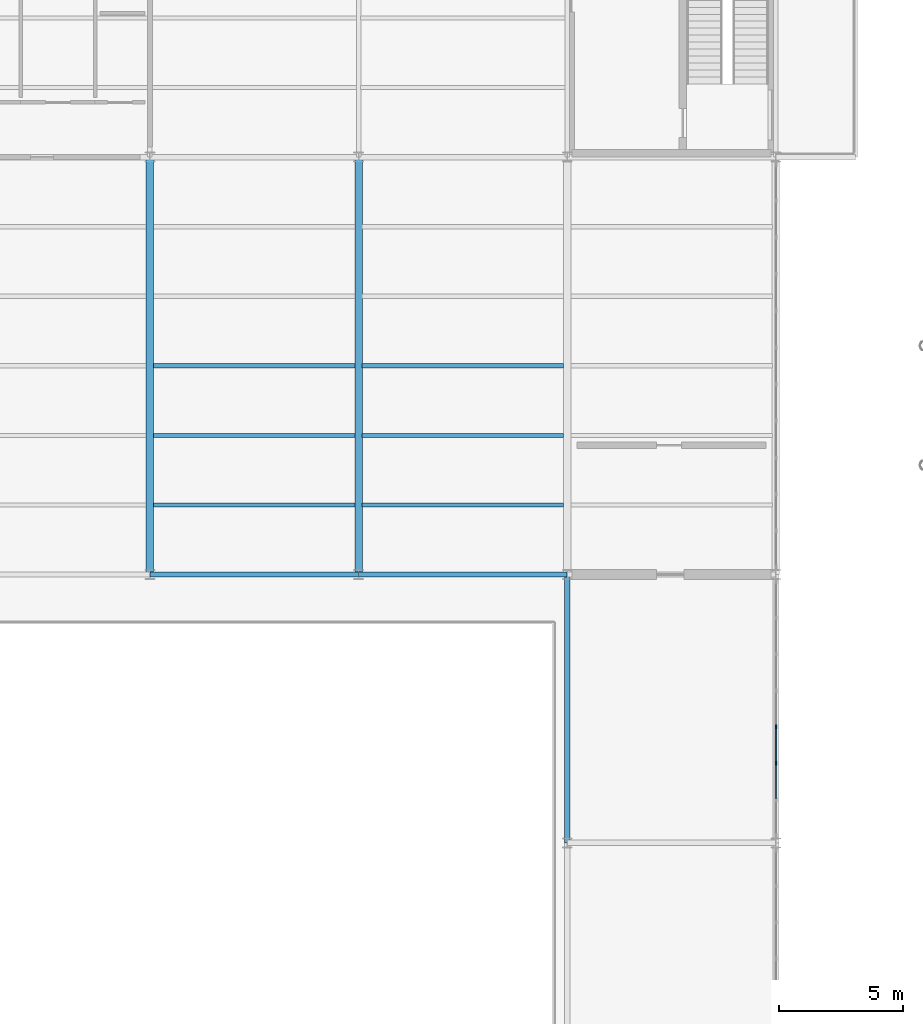
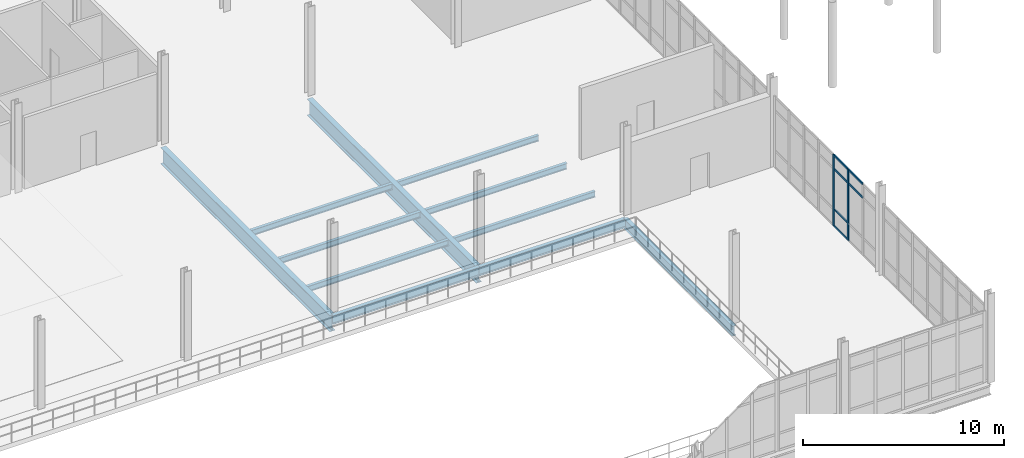
# One storey, part 39 of 111: 11 beams, 8 members, 1 element without a shape of its own.
"""IFC4 building model written with IfcOpenShell, lengths in metres."""

from ifc_helpers import new_model, si_unit, direction, frame, origin, origin_2d, place, context, subcontext, project, spatial, rectangle, i_section, extrude, material, layer, layer_set, material_profile, profile_set, type_object, element, aggregate, save


model = new_model("IFC4")

# Units and contexts
model_context = context("Model", 3, precision=1e-05, world=origin(), true_north=direction((0.0, 1.0)))
body_context = subcontext(model_context, "Body", "Model", "MODEL_VIEW")
ifc_project = project(units=[si_unit("LENGTHUNIT", "METRE"), si_unit("AREAUNIT", "SQUARE_METRE"), si_unit("VOLUMEUNIT", "CUBIC_METRE"), si_unit("PLANEANGLEUNIT", "RADIAN"), si_unit("MASSUNIT", "GRAM", prefix="KILO"), si_unit("THERMODYNAMICTEMPERATUREUNIT", "KELVIN"), si_unit("POWERUNIT", "WATT")], contexts=[model_context])

# Site, building, storey
site_placement = place(None, origin())
site = spatial("IfcSite", under=ifc_project, at=site_placement, CompositionType="ELEMENT")
building_placement = place(site_placement, origin())
building = spatial("IfcBuilding", under=site, at=building_placement, Name="Tembeka Court Mobility Hub", CompositionType="ELEMENT")
storey_placement = place(building_placement, origin())
storey = spatial("IfcBuildingStorey", under=building, at=storey_placement, Name="L00", CompositionType="ELEMENT", Elevation=0.0)

# Beams
ifc_material_1 = material(Name="Steel S355", Category="steel")
ifc_material_profile_1 = material_profile(ifc_material_1, i_section(OverallWidth=0.22900390625, OverallDepth=0.612060546875, WebThickness=0.011962890625, FlangeThickness=0.01953125, FilletRadius=0.0126953125, at=origin_2d()), Name="UKB 610x229x125")
ifc_profile_set_1 = profile_set([ifc_material_profile_1], Name="Steel S355")
beam_type_1 = type_object("IfcBeamType", Name="BM-G02", PredefinedType="USERDEFINED", material=ifc_profile_set_1)
beam_1_placement = place(storey_placement, frame((84.0, 10.800048828125, -0.5859375), z_axis=(0.0, 1.0, 0.0), x_axis=(-1.0, 0.0, 0.0)))
element("IfcBeam", 1, at=beam_1_placement, inside=storey, type_object=beam_type_1, Name="Beam G02 (BM-L00-Y0248)", ObjectType="GIRDER", PredefinedType="USERDEFINED", context=body_context, shape_type="SweptSolid", body=[
    extrude(i_section(OverallWidth=0.22900390625, OverallDepth=0.612060546875, WebThickness=0.011962890625, FlangeThickness=0.01953125, FilletRadius=0.0126953125, at=origin_2d()), origin(), (0.0, 0.0, 1.0), 10.800048828125),
])
ifc_material_profile_2 = material_profile(ifc_material_1, i_section(OverallWidth=0.2099609375, OverallDepth=0.537109375, WebThickness=0.0107421875, FlangeThickness=0.017333984375, FilletRadius=0.0126953125, at=origin_2d()), Name="UKB 533x210x101")
ifc_profile_set_2 = profile_set([ifc_material_profile_2], Name="Steel S355")
beam_type_2 = type_object("IfcBeamType", Name="BM-G03", PredefinedType="USERDEFINED", material=ifc_profile_set_2)
beam_2_placement = place(storey_placement, frame((67.199951171875, 21.60009765625, -0.548583984375), z_axis=(1.0, 0.0, 0.0), x_axis=(0.0, 1.0, 0.0)))
element("IfcBeam", 2, at=beam_2_placement, inside=storey, type_object=beam_type_2, Name="Beam G03 (BM-L00-X0032)", ObjectType="GIRDER", PredefinedType="USERDEFINED", context=body_context, shape_type="SweptSolid", body=[
    extrude(i_section(OverallWidth=0.2099609375, OverallDepth=0.537109375, WebThickness=0.0107421875, FlangeThickness=0.017333984375, FilletRadius=0.0126953125, at=origin_2d()), origin(), (0.0, 0.0, 1.0), 8.400146484375),
])
beam_3_placement = place(storey_placement, frame((75.60009765625, 21.60009765625, -0.548583984375), z_axis=(1.0, 0.0, 0.0), x_axis=(0.0, 1.0, 0.0)))
element("IfcBeam", 3, at=beam_3_placement, inside=storey, type_object=beam_type_2, Name="Beam G03 (BM-L00-X0033)", ObjectType="GIRDER", PredefinedType="USERDEFINED", context=body_context, shape_type="SweptSolid", body=[
    extrude(i_section(OverallWidth=0.2099609375, OverallDepth=0.537109375, WebThickness=0.0107421875, FlangeThickness=0.017333984375, FilletRadius=0.0126953125, at=origin_2d()), origin(), (0.0, 0.0, 1.0), 8.39990234375),
])
ifc_material_profile_3 = material_profile(ifc_material_1, i_section(OverallWidth=0.172119140625, OverallDepth=0.35498046875, WebThickness=0.00732421875, FlangeThickness=0.011474609375, FilletRadius=0.01025390625, at=origin_2d()), Name="UKB 356x171x51")
ifc_profile_set_3 = profile_set([ifc_material_profile_3], Name="Steel S355")
beam_type_3 = type_object("IfcBeamType", Name="BM-J01", PredefinedType="JOIST", material=ifc_profile_set_3)
for number, where, z_axis, x_axis, name in (
    (4, (67.344970703125, 24.39990234375, -0.45751953125), (1.0, 0.0, 0.0), (0.0, 1.0, 0.0), "Beam J01 (JST-L00-0470)"),
    (5, (67.344970703125, 27.199951171875, -0.45751953125), (1.0, 0.0, 0.0), (0.0, 1.0, 0.0), "Beam J01 (JST-L00-0471)"),
    (6, (67.344970703125, 30.0, -0.45751953125), (1.0, 0.0, 0.0), (0.0, 1.0, 0.0), "Beam J01 (JST-L00-0472)"),
):
    element("IfcBeam", number, at=place(storey_placement, frame(where, z_axis=z_axis, x_axis=x_axis)), inside=storey, type_object=beam_type_3, Name=name, PredefinedType="JOIST", context=body_context, shape_type="SweptSolid", body=[
        extrude(i_section(OverallWidth=0.172119140625, OverallDepth=0.35498046875, WebThickness=0.00732421875, FlangeThickness=0.011474609375, FilletRadius=0.01025390625, at=origin_2d()), origin(), (0.0, 0.0, 1.0), 8.110107421875),
    ])
for number, where, z_axis, x_axis, name in (
    (7, (75.7451171875, 24.39990234375, -0.45751953125), (1.0, 0.0, 0.0), (0.0, 1.0, 0.0), "Beam J01 (JST-L00-0490)"),
    (8, (75.7451171875, 27.199951171875, -0.45751953125), (1.0, 0.0, 0.0), (0.0, 1.0, 0.0), "Beam J01 (JST-L00-0491)"),
    (9, (75.7451171875, 30.0, -0.45751953125), (1.0, 0.0, 0.0), (0.0, 1.0, 0.0), "Beam J01 (JST-L00-0492)"),
):
    element("IfcBeam", number, at=place(storey_placement, frame(where, z_axis=z_axis, x_axis=x_axis)), inside=storey, type_object=beam_type_3, Name=name, PredefinedType="JOIST", context=body_context, shape_type="SweptSolid", body=[
        extrude(i_section(OverallWidth=0.172119140625, OverallDepth=0.35498046875, WebThickness=0.00732421875, FlangeThickness=0.011474609375, FilletRadius=0.01025390625, at=origin_2d()), origin(), (0.0, 0.0, 1.0), 8.10986328125),
    ])
ifc_material_profile_4 = material_profile(ifc_material_1, i_section(OverallWidth=0.300048828125, OverallDepth=1.0, WebThickness=0.01904296875, FlangeThickness=0.035888671875, FilletRadius=0.030029296875, at=origin_2d()), Name="HEB 1000")
ifc_profile_set_4 = profile_set([ifc_material_profile_4], Name="Steel S355")
beam_type_4 = type_object("IfcBeamType", Name="BM-TG01", PredefinedType="USERDEFINED", material=ifc_profile_set_4)
for number, where, z_axis, x_axis, name in (
    (10, (67.199951171875, 21.60009765625, -0.780029296875), (0.0, 1.0, 0.0), (-1.0, 0.0, 0.0), "Beam TG01 (BM-L00-Y0233)"),
    (11, (75.60009765625, 21.60009765625, -0.780029296875), (0.0, 1.0, 0.0), (-1.0, 0.0, 0.0), "Beam TG01 (BM-L00-Y0240)"),
):
    element("IfcBeam", number, at=place(storey_placement, frame(where, z_axis=z_axis, x_axis=x_axis)), inside=storey, type_object=beam_type_4, Name=name, ObjectType="GIRDER", PredefinedType="USERDEFINED", context=body_context, shape_type="SweptSolid", body=[
        extrude(i_section(OverallWidth=0.300048828125, OverallDepth=1.0, WebThickness=0.01904296875, FlangeThickness=0.035888671875, FilletRadius=0.030029296875, at=origin_2d()), origin(), (0.0, 0.0, 1.0), 16.7998046875),
    ])

# Curtain wall, members
ifc_material_2 = material(Name="Anodised aluminium 6063-T6", Category="aluminium")
ifc_layer = layer(ifc_material_2, 0.159912109375)
ifc_layer_set = layer_set([ifc_layer], Name="Anodised aluminium 6063-T6")
curtain_wall_type = type_object("IfcCurtainWallType", Name="CW-SYS18", PredefinedType="USERDEFINED", material=ifc_layer_set)
curtain_wall_placement = place(storey_placement, origin())
curtain_wall = element("IfcCurtainWall", 12, at=curtain_wall_placement, inside=storey, type_object=curtain_wall_type, Name="Unitised curtain wall CW18 (CW-L00-025)", ObjectType="UNITISED GLAZING", PredefinedType="USERDEFINED")
ifc_material_profile_5 = material_profile(ifc_material_2, rectangle(XDim=0.06494140625, YDim=0.159912109375, at=origin_2d()), Name="ALU-MUL 65x160")
ifc_profile_set_5 = profile_set([ifc_material_profile_5], Name="Anodised aluminium 6063-T6")
member_type_1 = type_object("IfcMemberType", Name="CW-MUL01", PredefinedType="MULLION", material=ifc_profile_set_5)
member_1_placement = place(storey_placement, frame((92.39990234375, 14.005615234375, 0.0), z_axis=(0.0, 0.0, 1.0), x_axis=(-1.0, 0.0, 0.0)))
member_1 = element("IfcMember", 13, at=member_1_placement, type_object=member_type_1, Name="CW18 mullion 3", PredefinedType="MULLION", context=body_context, shape_type="SweptSolid", body=[
    extrude(rectangle(XDim=0.06494140625, YDim=0.159912109375, at=origin_2d()), origin(), (0.0, 0.0, 1.0), 4.3349609375),
])
member_2_placement = place(storey_placement, frame((92.39990234375, 15.468505859375, 0.0), z_axis=(0.0, 0.0, 1.0), x_axis=(-1.0, 0.0, 0.0)))
member_2 = element("IfcMember", 14, at=member_2_placement, type_object=member_type_1, Name="CW18 mullion 4", PredefinedType="MULLION", context=body_context, shape_type="SweptSolid", body=[
    extrude(rectangle(XDim=0.06494140625, YDim=0.159912109375, at=origin_2d()), origin(), (0.0, 0.0, 1.0), 4.3349609375),
])
ifc_material_profile_6 = material_profile(ifc_material_2, rectangle(XDim=0.06494140625, YDim=0.1201171875, at=origin_2d()), Name="ALU-TRN 65x120")
ifc_profile_set_6 = profile_set([ifc_material_profile_6], Name="Anodised aluminium 6063-T6")
member_type_2 = type_object("IfcMemberType", Name="CW-TRN01", PredefinedType="USERDEFINED", material=ifc_profile_set_6)
member_3_placement = place(storey_placement, frame((92.39990234375, 12.575439453125, 3.485107421875), z_axis=(0.0, 1.0, 0.0), x_axis=(-1.0, 0.0, 0.0)))
member_3 = element("IfcMember", 15, at=member_3_placement, type_object=member_type_2, Name="CW18 transom 2.3", ObjectType="TRANSOM", PredefinedType="USERDEFINED", context=body_context, shape_type="SweptSolid", body=[
    extrude(rectangle(XDim=0.06494140625, YDim=0.1201171875, at=origin_2d()), origin(), (0.0, 0.0, 1.0), 1.397705078125),
])
member_4_placement = place(storey_placement, frame((92.39990234375, 12.575439453125, 4.302490234375), z_axis=(0.0, 1.0, 0.0), x_axis=(-1.0, 0.0, 0.0)))
member_4 = element("IfcMember", 16, at=member_4_placement, type_object=member_type_2, Name="CW18 transom 2.4", ObjectType="TRANSOM", PredefinedType="USERDEFINED", context=body_context, shape_type="SweptSolid", body=[
    extrude(rectangle(XDim=0.06494140625, YDim=0.1201171875, at=origin_2d()), origin(), (0.0, 0.0, 1.0), 1.397705078125),
])
member_5_placement = place(storey_placement, frame((92.39990234375, 14.038330078125, 0.032470703125), z_axis=(0.0, 1.0, 0.0), x_axis=(-1.0, 0.0, 0.0)))
member_5 = element("IfcMember", 17, at=member_5_placement, type_object=member_type_2, Name="CW18 transom 3.1", ObjectType="TRANSOM", PredefinedType="USERDEFINED", context=body_context, shape_type="SweptSolid", body=[
    extrude(rectangle(XDim=0.06494140625, YDim=0.1201171875, at=origin_2d()), origin(), (0.0, 0.0, 1.0), 1.397705078125),
])
member_6_placement = place(storey_placement, frame((92.39990234375, 14.038330078125, 1.050048828125), z_axis=(0.0, 1.0, 0.0), x_axis=(-1.0, 0.0, 0.0)))
member_6 = element("IfcMember", 18, at=member_6_placement, type_object=member_type_2, Name="CW18 transom 3.2", ObjectType="TRANSOM", PredefinedType="USERDEFINED", context=body_context, shape_type="SweptSolid", body=[
    extrude(rectangle(XDim=0.06494140625, YDim=0.1201171875, at=origin_2d()), origin(), (0.0, 0.0, 1.0), 1.397705078125),
])
member_7_placement = place(storey_placement, frame((92.39990234375, 14.038330078125, 3.485107421875), z_axis=(0.0, 1.0, 0.0), x_axis=(-1.0, 0.0, 0.0)))
member_7 = element("IfcMember", 19, at=member_7_placement, type_object=member_type_2, Name="CW18 transom 3.3", ObjectType="TRANSOM", PredefinedType="USERDEFINED", context=body_context, shape_type="SweptSolid", body=[
    extrude(rectangle(XDim=0.06494140625, YDim=0.1201171875, at=origin_2d()), origin(), (0.0, 0.0, 1.0), 1.397705078125),
])
member_8_placement = place(storey_placement, frame((92.39990234375, 14.038330078125, 4.302490234375), z_axis=(0.0, 1.0, 0.0), x_axis=(-1.0, 0.0, 0.0)))
member_8 = element("IfcMember", 20, at=member_8_placement, type_object=member_type_2, Name="CW18 transom 3.4", ObjectType="TRANSOM", PredefinedType="USERDEFINED", context=body_context, shape_type="SweptSolid", body=[
    extrude(rectangle(XDim=0.06494140625, YDim=0.1201171875, at=origin_2d()), origin(), (0.0, 0.0, 1.0), 1.397705078125),
])
aggregate(curtain_wall, [member_1, member_2, member_3, member_4, member_5, member_6, member_7, member_8])

save(model, "model.ifc")
